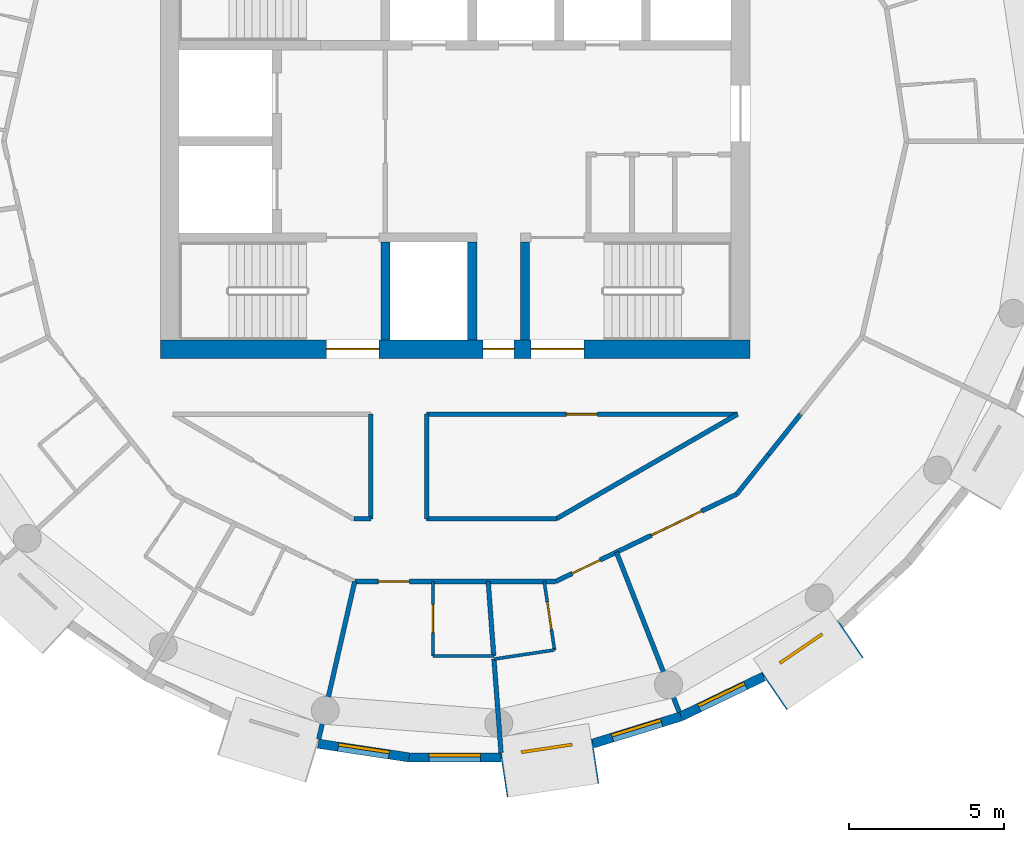
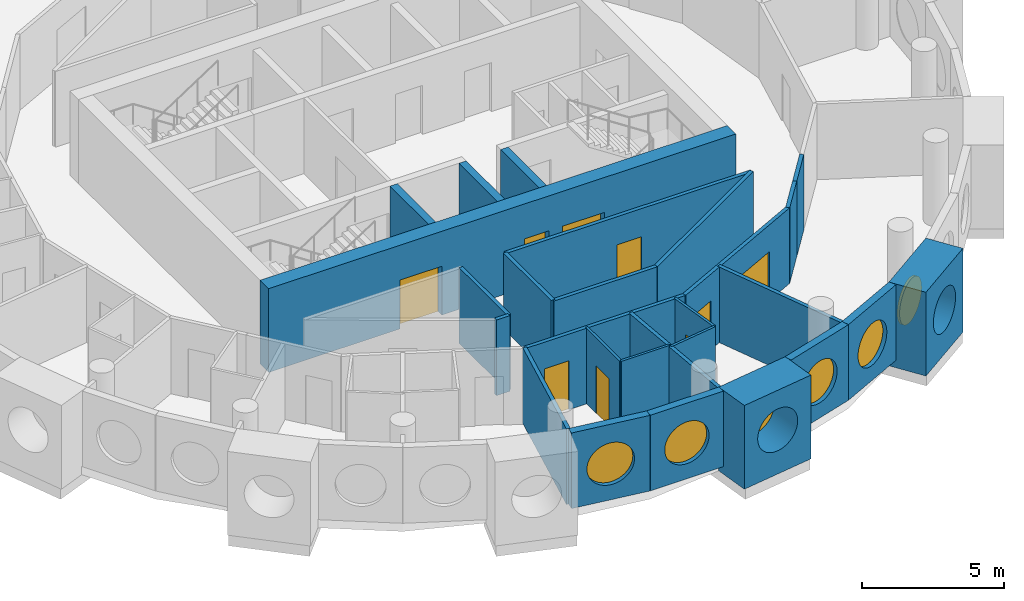
# One storey, part 4 of 12: 28 walls, 9 doors, 6 windows, 15 openings.
"""IFC4 building model written with IfcOpenShell, lengths in metres."""

from ifc_helpers import new_model, si_unit, direction, frame, frame_2d, origin, origin_2d, place, context, subcontext, project, spatial, rectangle, circle, extrude, material, layer, layer_set, type_object, element, fill, save


model = new_model("IFC4")

# Units and contexts
model_context = context("Model", 3, precision=1e-05, world=origin(), true_north=direction((0.0, 1.0)))
body_context = subcontext(model_context, "Body", "Model", "MODEL_VIEW")
ifc_project = project(units=[si_unit("LENGTHUNIT", "METRE"), si_unit("AREAUNIT", "SQUARE_METRE"), si_unit("VOLUMEUNIT", "CUBIC_METRE"), si_unit("PLANEANGLEUNIT", "RADIAN"), si_unit("MASSUNIT", "GRAM", prefix="KILO")], contexts=[model_context])

# Site, building, storey
site_placement = place(None, origin())
site = spatial("IfcSite", under=ifc_project, at=site_placement, CompositionType="ELEMENT")
building_placement = place(site_placement, origin())
building = spatial("IfcBuilding", under=site, at=building_placement, Name="Tracery Tower", CompositionType="ELEMENT")
storey_placement = place(building_placement, frame((0.0, 0.0, 291.0)))
storey = spatial("IfcBuildingStorey", under=building, at=storey_placement, Name="L75", CompositionType="ELEMENT", Elevation=291.0)

# Wall, openings, doors
ifc_material_1 = material(Name="Concrete C40/50", Category="concrete")
ifc_layer_1 = layer(ifc_material_1, 0.60009765625)
ifc_layer_set_1 = layer_set([ifc_layer_1], Name="Core wall 600 C40")
wall_type_1 = type_object("IfcWallType", Name="Core wall 600 C40", PredefinedType="SOLIDWALL", material=ifc_layer_set_1)
wall_1_placement = place(storey_placement, frame((-9.5, -6.699951171875, 0.0), z_axis=(0.0, 0.0, 1.0), x_axis=(1.0, 0.0, 0.0)))
wall_1 = element("IfcWall", 1, at=wall_1_placement, inside=storey, type_object=wall_type_1, Name="L75 outer S", PredefinedType="SOLIDWALL", context=body_context, shape_type="SweptSolid", body=[
    extrude(rectangle(XDim=19.0, YDim=0.60009765625, at=frame_2d((9.5, 0.0))), origin(), (0.0, 0.0, 1.0), 3.60009765625),
])
opening_1_placement = place(wall_1_placement, frame((10.39990234375, 0.0, 0.0)))
opening_1 = element("IfcOpeningElement", 2, at=opening_1_placement, cuts=wall_1, Name="Opening KD16", PredefinedType="OPENING", context=body_context, shape_type="SweptSolid", body=[
    extrude(rectangle(XDim=1.0, YDim=2.10009765625, at=frame_2d((0.5, 1.050048828125))), frame((0.0, 0.300048828125, 0.0), z_axis=(0.0, -1.0, 0.0), x_axis=(1.0, 0.0, 0.0)), (0.0, 0.0, 1.0), 0.60009765625),
])
opening_2_placement = place(wall_1_placement, frame((5.35009765625, 0.0, 0.0)))
opening_2 = element("IfcOpeningElement", 3, at=opening_2_placement, cuts=wall_1, Name="Opening KD3", PredefinedType="OPENING", context=body_context, shape_type="SweptSolid", body=[
    extrude(rectangle(XDim=1.699951171875, YDim=2.10009765625, at=frame_2d((0.85009765625, 1.050048828125))), frame((0.0, 0.300048828125, 0.0), z_axis=(0.0, -1.0, 0.0), x_axis=(1.0, 0.0, 0.0)), (0.0, 0.0, 1.0), 0.60009765625),
])
opening_3_placement = place(wall_1_placement, frame((11.949951171875, 0.0, 0.0)))
opening_3 = element("IfcOpeningElement", 4, at=opening_3_placement, cuts=wall_1, Name="Opening KD3", PredefinedType="OPENING", context=body_context, shape_type="SweptSolid", body=[
    extrude(rectangle(XDim=1.699951171875, YDim=2.10009765625, at=frame_2d((0.85009765625, 1.050048828125))), frame((0.0, 0.300048828125, 0.0), z_axis=(0.0, -1.0, 0.0), x_axis=(1.0, 0.0, 0.0)), (0.0, 0.0, 1.0), 0.60009765625),
])
ifc_material_2 = material(Name="Steel fire door", Category="steel")
door_type_1 = type_object("IfcDoorType", Name="Core exit door 1000", OperationType="NOTDEFINED", PredefinedType="DOOR", material=ifc_material_2)
door_1_placement = place(opening_1_placement, origin())
door_1 = element("IfcDoor", 5, at=door_1_placement, inside=storey, type_object=door_type_1, Name="Core exit door", OperationType="SINGLE_SWING_LEFT", OverallHeight=2.10009765625, OverallWidth=1.0, PredefinedType="DOOR", context=body_context, shape_type="SweptSolid", body=[
    extrude(rectangle(XDim=1.0, YDim=2.10009765625, at=frame_2d((0.5, 1.050048828125))), frame((0.0, 0.02490234375, 0.0), z_axis=(0.0, -1.0, 0.0), x_axis=(1.0, 0.0, 0.0)), (0.0, 0.0, 1.0), 0.050048828125),
])
fill(opening_1, door_1)
ifc_material_3 = material(Name="Steel fire door", Category="steel")
door_type_2 = type_object("IfcDoorType", Name="Core stair door 1700 double", OperationType="NOTDEFINED", PredefinedType="DOOR", material=ifc_material_3)
door_2_placement = place(opening_2_placement, origin())
door_2 = element("IfcDoor", 6, at=door_2_placement, inside=storey, type_object=door_type_2, Name="Stair door ST1 exit", OperationType="DOUBLE_DOOR_SINGLE_SWING", OverallHeight=2.10009765625, OverallWidth=1.699951171875, PredefinedType="DOOR", context=body_context, shape_type="SweptSolid", body=[
    extrude(rectangle(XDim=1.699951171875, YDim=2.10009765625, at=frame_2d((0.85009765625, 1.050048828125))), frame((0.0, 0.02490234375, 0.0), z_axis=(0.0, -1.0, 0.0), x_axis=(1.0, 0.0, 0.0)), (0.0, 0.0, 1.0), 0.050048828125),
])
fill(opening_2, door_2)
door_3_placement = place(opening_3_placement, origin())
door_3 = element("IfcDoor", 7, at=door_3_placement, inside=storey, type_object=door_type_2, Name="Stair door ST2 exit", OperationType="DOUBLE_DOOR_SINGLE_SWING", OverallHeight=2.10009765625, OverallWidth=1.699951171875, PredefinedType="DOOR", context=body_context, shape_type="SweptSolid", body=[
    extrude(rectangle(XDim=1.699951171875, YDim=2.10009765625, at=frame_2d((0.85009765625, 1.050048828125))), frame((0.0, 0.02490234375, 0.0), z_axis=(0.0, -1.0, 0.0), x_axis=(1.0, 0.0, 0.0)), (0.0, 0.0, 1.0), 0.050048828125),
])
fill(opening_3, door_3)

# Wall, opening, window
ifc_material_4 = material(Name="Precast concrete C50/60", Category="concrete")
ifc_layer_2 = layer(ifc_material_4, 1.449951171875)
ifc_layer_set_2 = layer_set([ifc_layer_2], Name="Deep-set bay unit 3000 x 3600, slab edge 350")
wall_type_2 = type_object("IfcWallType", Name="Deep-set bay unit 3000 x 3600, slab edge 350", PredefinedType="ELEMENTEDWALL", material=ifc_layer_set_2)
wall_2_placement = place(storey_placement, frame((1.563232421875, -20.436279296875, -0.35009765625), z_axis=(0.0, 0.0, 1.0), x_axis=(0.988836445254, 0.149004981587, 0.0)))
wall_2 = element("IfcWall", 8, at=wall_2_placement, inside=storey, type_object=wall_type_2, Name="Deep-set bay unit 33 at L75", PredefinedType="ELEMENTEDWALL", context=body_context, shape_type="SweptSolid", body=[
    extrude(rectangle(XDim=3.0, YDim=1.449951171875, at=frame_2d((1.5, 0.0))), origin(), (0.0, 0.0, 1.0), 3.60009765625),
])
opening_4_placement = place(wall_2_placement, frame((1.5, 0.0, 1.89990234375)))
opening_4 = element("IfcOpeningElement", 9, at=opening_4_placement, cuts=wall_2, Name="Opening WN1", PredefinedType="OPENING", context=body_context, shape_type="SweptSolid", body=[
    extrude(circle(Radius=0.9000244140625, at=origin_2d()), frame((0.0, 0.73486328125, 0.0), z_axis=(0.0, -1.0, 0.0), x_axis=(1.0, 0.0, 0.0)), (0.0, 0.0, 1.0), 1.469970703125),
])
ifc_material_5 = material(Name="Aluminium frame with tinted double glazing", Category="aluminium")
window_type = type_object("IfcWindowType", Name="Round window 1800", PartitioningType="SINGLE_PANEL", PredefinedType="WINDOW", material=ifc_material_5)
window_1_placement = place(opening_4_placement, origin())
window_1 = element("IfcWindow", 10, at=window_1_placement, inside=storey, type_object=window_type, Name="Round window 33 at L75", OverallHeight=1.800048828125, OverallWidth=1.800048828125, PartitioningType="SINGLE_PANEL", PredefinedType="WINDOW", context=body_context, shape_type="SweptSolid", body=[
    extrude(circle(Radius=0.9000244140625, at=origin_2d()), frame((0.0, 0.69482421875, 0.0), z_axis=(0.0, -1.0, 0.0), x_axis=(1.0, 0.0, 0.0)), (0.0, 0.0, 1.0), 0.10009765625),
])
fill(opening_4, window_1)

wall_3_placement = place(storey_placement, frame((10.275390625, -17.734130859375, -0.35009765625), z_axis=(0.0, 0.0, 1.0), x_axis=(0.826246281157, 0.563309047392, 0.0)))
wall_3 = element("IfcWall", 11, at=wall_3_placement, inside=storey, type_object=wall_type_2, Name="Deep-set bay unit 36 at L75", PredefinedType="ELEMENTEDWALL", context=body_context, shape_type="SweptSolid", body=[
    extrude(rectangle(XDim=3.0, YDim=1.449951171875, at=frame_2d((1.5, 0.0))), origin(), (0.0, 0.0, 1.0), 3.60009765625),
])
opening_5_placement = place(wall_3_placement, frame((1.5, 0.0, 1.89990234375)))
opening_5 = element("IfcOpeningElement", 12, at=opening_5_placement, cuts=wall_3, Name="Opening WN1", PredefinedType="OPENING", context=body_context, shape_type="SweptSolid", body=[
    extrude(circle(Radius=0.9000244140625, at=origin_2d()), frame((0.0, 0.73486328125, 0.0), z_axis=(0.0, -1.0, 0.0), x_axis=(1.0, 0.0, 0.0)), (0.0, 0.0, 1.0), 1.469970703125),
])
window_2_placement = place(opening_5_placement, origin())
window_2 = element("IfcWindow", 13, at=window_2_placement, inside=storey, type_object=window_type, Name="Round window 36 at L75", OverallHeight=1.800048828125, OverallWidth=1.800048828125, PartitioningType="SINGLE_PANEL", PredefinedType="WINDOW", context=body_context, shape_type="SweptSolid", body=[
    extrude(circle(Radius=0.9000244140625, at=origin_2d()), frame((0.0, 0.69482421875, 0.0), z_axis=(0.0, -1.0, 0.0), x_axis=(1.0, 0.0, 0.0)), (0.0, 0.0, 1.0), 0.10009765625),
])
fill(opening_5, window_2)

ifc_material_6 = material(Name="Precast concrete C50/60", Category="concrete")
ifc_layer_3 = layer(ifc_material_6, 0.300048828125)
ifc_layer_set_3 = layer_set([ifc_layer_3], Name="Facade panel 3000 x 3250")
wall_type_3 = type_object("IfcWallType", Name="Facade panel 3000 x 3250", PredefinedType="SOLIDWALL", material=ifc_layer_set_3)
wall_4_placement = place(storey_placement, frame((-4.41796875, -19.424560546875, 0.0), z_axis=(0.0, 0.0, 1.0), x_axis=(0.988835775663, -0.149009425104, 0.0)))
wall_4 = element("IfcWall", 14, at=wall_4_placement, inside=storey, type_object=wall_type_3, Name="Facade panel 31 at L75", PredefinedType="SOLIDWALL", context=body_context, shape_type="SweptSolid", body=[
    extrude(rectangle(XDim=2.962158203125, YDim=0.300048828125, at=frame_2d((1.48095703125, 0.0))), origin(), (0.0, 0.0, 1.0), 3.25),
])
opening_6_placement = place(wall_4_placement, frame((1.48095703125, 0.0, 1.5498046875)))
opening_6 = element("IfcOpeningElement", 15, at=opening_6_placement, cuts=wall_4, Name="Opening WN1", PredefinedType="OPENING", context=body_context, shape_type="SweptSolid", body=[
    extrude(circle(Radius=0.9000244140625, at=origin_2d()), frame((0.0, 0.159912109375, 0.0), z_axis=(0.0, -1.0, 0.0), x_axis=(1.0, 0.0, 0.0)), (0.0, 0.0, 1.0), 0.320068359375),
])
window_3_placement = place(opening_6_placement, origin())
window_3 = element("IfcWindow", 16, at=window_3_placement, inside=storey, type_object=window_type, Name="Round window 31 at L75", OverallHeight=1.800048828125, OverallWidth=1.800048828125, PartitioningType="SINGLE_PANEL", PredefinedType="WINDOW", context=body_context, shape_type="SweptSolid", body=[
    extrude(circle(Radius=0.9000244140625, at=origin_2d()), frame((0.0, 0.1201171875, 0.0), z_axis=(0.0, -1.0, 0.0), x_axis=(1.0, 0.0, 0.0)), (0.0, 0.0, 1.0), 0.10009765625),
])
fill(opening_6, window_3)

wall_5_placement = place(storey_placement, frame((-1.48876953125, -19.865966796875, 0.0), z_axis=(0.0, 0.0, 1.0), x_axis=(1.0, 0.0, 0.0)))
wall_5 = element("IfcWall", 17, at=wall_5_placement, inside=storey, type_object=wall_type_3, Name="Facade panel 32 at L75", PredefinedType="SOLIDWALL", context=body_context, shape_type="SweptSolid", body=[
    extrude(rectangle(XDim=2.962158203125, YDim=0.300048828125, at=frame_2d((1.48095703125, 0.0))), origin(), (0.0, 0.0, 1.0), 3.25),
])
opening_7_placement = place(wall_5_placement, frame((1.48095703125, 0.0, 1.5498046875)))
opening_7 = element("IfcOpeningElement", 18, at=opening_7_placement, cuts=wall_5, Name="Opening WN1", PredefinedType="OPENING", context=body_context, shape_type="SweptSolid", body=[
    extrude(circle(Radius=0.9000244140625, at=origin_2d()), frame((0.0, 0.159912109375, 0.0), z_axis=(0.0, -1.0, 0.0), x_axis=(1.0, 0.0, 0.0)), (0.0, 0.0, 1.0), 0.320068359375),
])
window_4_placement = place(opening_7_placement, origin())
window_4 = element("IfcWindow", 19, at=window_4_placement, inside=storey, type_object=window_type, Name="Round window 32 at L75", OverallHeight=1.800048828125, OverallWidth=1.800048828125, PartitioningType="SINGLE_PANEL", PredefinedType="WINDOW", context=body_context, shape_type="SweptSolid", body=[
    extrude(circle(Radius=0.9000244140625, at=origin_2d()), frame((0.0, 0.1201171875, 0.0), z_axis=(0.0, -1.0, 0.0), x_axis=(1.0, 0.0, 0.0)), (0.0, 0.0, 1.0), 0.10009765625),
])
fill(opening_7, window_4)

wall_6_placement = place(storey_placement, frame((4.447509765625, -19.417724609375, 0.0), z_axis=(0.0, 0.0, 1.0), x_axis=(0.95558635705, 0.294711238707, 0.0)))
wall_6 = element("IfcWall", 20, at=wall_6_placement, inside=storey, type_object=wall_type_3, Name="Facade panel 34 at L75", PredefinedType="SOLIDWALL", context=body_context, shape_type="SweptSolid", body=[
    extrude(rectangle(XDim=2.96240234375, YDim=0.300048828125, at=frame_2d((1.481201171875, 0.0))), origin(), (0.0, 0.0, 1.0), 3.25),
])
opening_8_placement = place(wall_6_placement, frame((1.48095703125, 0.0, 1.5498046875)))
opening_8 = element("IfcOpeningElement", 21, at=opening_8_placement, cuts=wall_6, Name="Opening WN1", PredefinedType="OPENING", context=body_context, shape_type="SweptSolid", body=[
    extrude(circle(Radius=0.9000244140625, at=origin_2d()), frame((0.0, 0.159912109375, 0.0), z_axis=(0.0, -1.0, 0.0), x_axis=(1.0, 0.0, 0.0)), (0.0, 0.0, 1.0), 0.320068359375),
])
window_5_placement = place(opening_8_placement, origin())
window_5 = element("IfcWindow", 22, at=window_5_placement, inside=storey, type_object=window_type, Name="Round window 34 at L75", OverallHeight=1.800048828125, OverallWidth=1.800048828125, PartitioningType="SINGLE_PANEL", PredefinedType="WINDOW", context=body_context, shape_type="SweptSolid", body=[
    extrude(circle(Radius=0.9000244140625, at=origin_2d()), frame((0.0, 0.1201171875, 0.0), z_axis=(0.0, -1.0, 0.0), x_axis=(1.0, 0.0, 0.0)), (0.0, 0.0, 1.0), 0.10009765625),
])
fill(opening_8, window_5)

wall_7_placement = place(storey_placement, frame((7.2783203125, -18.544677734375, 0.0), z_axis=(0.0, 0.0, 1.0), x_axis=(0.900939615635, 0.433944476838, 0.0)))
wall_7 = element("IfcWall", 23, at=wall_7_placement, inside=storey, type_object=wall_type_3, Name="Facade panel 35 at L75", PredefinedType="SOLIDWALL", context=body_context, shape_type="SweptSolid", body=[
    extrude(rectangle(XDim=2.962158203125, YDim=0.300048828125, at=frame_2d((1.48095703125, 0.0))), origin(), (0.0, 0.0, 1.0), 3.25),
])
opening_9_placement = place(wall_7_placement, frame((1.48095703125, 0.0, 1.5498046875)))
opening_9 = element("IfcOpeningElement", 24, at=opening_9_placement, cuts=wall_7, Name="Opening WN1", PredefinedType="OPENING", context=body_context, shape_type="SweptSolid", body=[
    extrude(circle(Radius=0.9000244140625, at=origin_2d()), frame((0.0, 0.159912109375, 0.0), z_axis=(0.0, -1.0, 0.0), x_axis=(1.0, 0.0, 0.0)), (0.0, 0.0, 1.0), 0.320068359375),
])
window_6_placement = place(opening_9_placement, origin())
window_6 = element("IfcWindow", 25, at=window_6_placement, inside=storey, type_object=window_type, Name="Round window 35 at L75", OverallHeight=1.800048828125, OverallWidth=1.800048828125, PartitioningType="SINGLE_PANEL", PredefinedType="WINDOW", context=body_context, shape_type="SweptSolid", body=[
    extrude(circle(Radius=0.9000244140625, at=origin_2d()), frame((0.0, 0.1201171875, 0.0), z_axis=(0.0, -1.0, 0.0), x_axis=(1.0, 0.0, 0.0)), (0.0, 0.0, 1.0), 0.10009765625),
])
fill(opening_9, window_6)

# Wall, opening, door
ifc_material_7 = material(Name="Plasterboard on steel studs", Category="steel")
ifc_layer_4 = layer(ifc_material_7, 0.10009765625)
ifc_layer_set_4 = layer_set([ifc_layer_4], Name="Partition 100 wet wall")
wall_type_4 = type_object("IfcWallType", Name="Partition 100 wet wall", PredefinedType="PARTITIONING", material=ifc_layer_set_4)
wall_8_placement = place(storey_placement, frame((-0.721923828125, -16.592041015625, 0.0), z_axis=(0.0, 0.0, 1.0), x_axis=(0.0, 1.0, 0.0)))
wall_8 = element("IfcWall", 26, at=wall_8_placement, inside=storey, type_object=wall_type_4, Name="Wet wall RC6-080", PredefinedType="PARTITIONING", context=body_context, shape_type="SweptSolid", body=[
    extrude(rectangle(XDim=2.400146484375, YDim=0.10009765625, at=frame_2d((1.2001953125, 0.0))), origin(), (0.0, 0.0, 1.0), 3.25),
])
opening_10_placement = place(wall_8_placement, frame((0.75, 0.0, 0.0)))
opening_10 = element("IfcOpeningElement", 27, at=opening_10_placement, cuts=wall_8, Name="Opening RC6-26", PredefinedType="OPENING", context=body_context, shape_type="SweptSolid", body=[
    extrude(rectangle(XDim=0.89990234375, YDim=2.0400390625, at=frame_2d((0.449951171875, 1.02001953125))), frame((0.0, 0.050048828125, 0.0), z_axis=(0.0, -1.0, 0.0), x_axis=(1.0, 0.0, 0.0)), (0.0, 0.0, 1.0), 0.10009765625),
])
ifc_material_8 = material(Name="Timber door leaf", Category="wood")
door_type_3 = type_object("IfcDoorType", Name="Door en-suite 900", OperationType="NOTDEFINED", PredefinedType="DOOR", material=ifc_material_8)
door_4_placement = place(opening_10_placement, origin())
door_4 = element("IfcDoor", 28, at=door_4_placement, inside=storey, type_object=door_type_3, Name="En-suite door RC6-26", OperationType="SINGLE_SWING_RIGHT", OverallHeight=2.0400390625, OverallWidth=0.89990234375, PredefinedType="DOOR", context=body_context, shape_type="SweptSolid", body=[
    extrude(rectangle(XDim=0.89990234375, YDim=2.0400390625, at=frame_2d((0.449951171875, 1.02001953125))), frame((0.0, 0.02490234375, 0.0), z_axis=(0.0, -1.0, 0.0), x_axis=(1.0, 0.0, 0.0)), (0.0, 0.0, 1.0), 0.050048828125),
])
fill(opening_10, door_4)

# Walls
wall_9_placement = place(storey_placement, frame((-0.721923828125, -16.592041015625, 0.0), z_axis=(0.0, 0.0, 1.0), x_axis=(1.0, 0.0, 0.0)))
element("IfcWall", 29, at=wall_9_placement, inside=storey, type_object=wall_type_4, Name="Wet wall RC6-081", PredefinedType="PARTITIONING", context=body_context, shape_type="SweptSolid", body=[
    extrude(rectangle(XDim=1.96484375, YDim=0.10009765625, at=frame_2d((0.982421875, 0.0))), origin(), (0.0, 0.0, 1.0), 3.25),
])
wall_10_placement = place(storey_placement, frame((1.2509765625, -16.695068359375, 0.0), z_axis=(0.0, 0.0, 1.0), x_axis=(0.988831780565, 0.149035934407, 0.0)))
element("IfcWall", 30, at=wall_10_placement, inside=storey, type_object=wall_type_4, Name="Wet wall RC6-084", PredefinedType="PARTITIONING", context=body_context, shape_type="SweptSolid", body=[
    extrude(rectangle(XDim=1.973876953125, YDim=0.10009765625, at=frame_2d((0.98681640625, 0.0))), origin(), (0.0, 0.0, 1.0), 3.25),
])

# Wall, opening, door
wall_11_placement = place(storey_placement, frame((2.8701171875, -14.19189453125, 0.0), z_axis=(0.0, 0.0, 1.0), x_axis=(0.148960349288, -0.988843169739, 0.0)))
wall_11 = element("IfcWall", 31, at=wall_11_placement, inside=storey, type_object=wall_type_4, Name="Wet wall RC6-085", PredefinedType="PARTITIONING", context=body_context, shape_type="SweptSolid", body=[
    extrude(rectangle(XDim=2.23388671875, YDim=0.10009765625, at=frame_2d((1.116943359375, 0.0))), origin(), (0.0, 0.0, 1.0), 3.25),
])
opening_11_placement = place(wall_11_placement, frame((0.6669921875, 0.0, 0.0)))
opening_11 = element("IfcOpeningElement", 32, at=opening_11_placement, cuts=wall_11, Name="Opening RC6-28", PredefinedType="OPENING", context=body_context, shape_type="SweptSolid", body=[
    extrude(rectangle(XDim=0.89990234375, YDim=2.0400390625, at=frame_2d((0.449951171875, 1.02001953125))), frame((0.0, 0.050048828125, 0.0), z_axis=(0.0, -1.0, 0.0), x_axis=(1.0, 0.0, 0.0)), (0.0, 0.0, 1.0), 0.10009765625),
])
door_5_placement = place(opening_11_placement, origin())
door_5 = element("IfcDoor", 33, at=door_5_placement, inside=storey, type_object=door_type_3, Name="En-suite door RC6-28", OperationType="SINGLE_SWING_RIGHT", OverallHeight=2.0400390625, OverallWidth=0.89990234375, PredefinedType="DOOR", context=body_context, shape_type="SweptSolid", body=[
    extrude(rectangle(XDim=0.89990234375, YDim=2.0400390625, at=frame_2d((0.449951171875, 1.02001953125))), frame((0.0, 0.02490234375, 0.0), z_axis=(0.0, -1.0, 0.0), x_axis=(1.0, 0.0, 0.0)), (0.0, 0.0, 1.0), 0.050048828125),
])
fill(opening_11, door_5)

# Walls
ifc_material_9 = material(Name="Plasterboard on steel studs", Category="steel")
ifc_layer_5 = layer(ifc_material_9, 0.14990234375)
ifc_layer_set_5 = layer_set([ifc_layer_5], Name="Partition 150 acoustic unit wall")
wall_type_5 = type_object("IfcWallType", Name="Partition 150 acoustic unit wall", PredefinedType="PARTITIONING", material=ifc_layer_set_5)
wall_12_placement = place(storey_placement, frame((-4.39990234375, -19.27587890625, 0.0), z_axis=(0.0, 0.0, 1.0), x_axis=(0.222612505682, 0.974907007008, 0.0)))
element("IfcWall", 34, at=wall_12_placement, inside=storey, type_object=wall_type_5, Name="Unit wall RC6-079", PredefinedType="PARTITIONING", context=body_context, shape_type="SweptSolid", body=[
    extrude(rectangle(XDim=5.21484375, YDim=0.14990234375, at=frame_2d((2.607421875, 0.0))), origin(), (0.0, 0.0, 1.0), 3.25),
])
wall_13_placement = place(storey_placement, frame((1.25, -16.69091796875, 0.0), z_axis=(0.0, 0.0, 1.0), x_axis=(0.075164061246, -0.99717118084, 0.0)))
element("IfcWall", 35, at=wall_13_placement, inside=storey, type_object=wall_type_5, Name="Unit wall RC6-082", PredefinedType="PARTITIONING", context=body_context, shape_type="SweptSolid", body=[
    extrude(rectangle(XDim=3.03369140625, YDim=0.14990234375, at=frame_2d((1.516845703125, 0.0))), origin(), (0.0, 0.0, 1.0), 3.25),
])
wall_14_placement = place(storey_placement, frame((1.06396484375, -14.19189453125, 0.0), z_axis=(0.0, 0.0, 1.0), x_axis=(0.074353677934, -0.997231934195, 0.0)))
element("IfcWall", 36, at=wall_14_placement, inside=storey, type_object=wall_type_5, Name="Unit wall RC6-083", PredefinedType="PARTITIONING", context=body_context, shape_type="SweptSolid", body=[
    extrude(rectangle(XDim=2.40673828125, YDim=0.14990234375, at=frame_2d((1.203369140625, 0.0))), origin(), (0.0, 0.0, 1.0), 3.25),
])
wall_15_placement = place(storey_placement, frame((5.198974609375, -13.248046875, 0.0), z_axis=(0.0, 0.0, 1.0), x_axis=(0.365334662456, -0.930876245485, 0.0)))
element("IfcWall", 37, at=wall_15_placement, inside=storey, type_object=wall_type_5, Name="Unit wall RC6-086", PredefinedType="PARTITIONING", context=body_context, shape_type="SweptSolid", body=[
    extrude(rectangle(XDim=5.5400390625, YDim=0.14990234375, at=frame_2d((2.77001953125, 0.0))), origin(), (0.0, 0.0, 1.0), 3.25),
])

# Wall, opening, door
ifc_material_10 = material(Name="Plasterboard on steel studs", Category="steel")
ifc_layer_6 = layer(ifc_material_10, 0.14990234375)
ifc_layer_set_6 = layer_set([ifc_layer_6], Name="Partition 150 corridor wall")
wall_type_6 = type_object("IfcWallType", Name="Partition 150 corridor wall", PredefinedType="PARTITIONING", material=ifc_layer_set_6)
wall_16_placement = place(storey_placement, frame((-0.924072265625, -8.800048828125, 0.0), z_axis=(0.0, 0.0, 1.0), x_axis=(1.0, 0.0, 0.0)))
wall_16 = element("IfcWall", 38, at=wall_16_placement, inside=storey, type_object=wall_type_6, Name="Corridor wall RC6-014", PredefinedType="PARTITIONING", context=body_context, shape_type="SweptSolid", body=[
    extrude(rectangle(XDim=10.024658203125, YDim=0.14990234375, at=frame_2d((5.01220703125, 0.0))), origin(), (0.0, 0.0, 1.0), 3.25),
])
opening_12_placement = place(wall_16_placement, frame((4.508056640625, 0.0, 0.0)))
opening_12 = element("IfcOpeningElement", 39, at=opening_12_placement, cuts=wall_16, Name="Opening RC6-04", PredefinedType="OPENING", context=body_context, shape_type="SweptSolid", body=[
    extrude(rectangle(XDim=1.0, YDim=2.0400390625, at=frame_2d((0.5, 1.02001953125))), frame((0.0, 0.074951171875, 0.0), z_axis=(0.0, -1.0, 0.0), x_axis=(1.0, 0.0, 0.0)), (0.0, 0.0, 1.0), 0.14990234375),
])
ifc_material_11 = material(Name="Timber door leaf", Category="wood")
door_type_4 = type_object("IfcDoorType", Name="Door communal room 1000", OperationType="NOTDEFINED", PredefinedType="DOOR", material=ifc_material_11)
door_6_placement = place(opening_12_placement, origin())
door_6 = element("IfcDoor", 40, at=door_6_placement, inside=storey, type_object=door_type_4, Name="Communal room door RC6-04", OperationType="SINGLE_SWING_RIGHT", OverallHeight=2.0400390625, OverallWidth=1.0, PredefinedType="DOOR", context=body_context, shape_type="SweptSolid", body=[
    extrude(rectangle(XDim=1.0, YDim=2.0400390625, at=frame_2d((0.5, 1.02001953125))), frame((0.0, 0.02490234375, 0.0), z_axis=(0.0, -1.0, 0.0), x_axis=(1.0, 0.0, 0.0)), (0.0, 0.0, 1.0), 0.050048828125),
])
fill(opening_12, door_6)

# Walls
wall_17_placement = place(storey_placement, frame((10.10107421875, -10.10107421875, 0.0), z_axis=(0.0, 0.0, 1.0), x_axis=(0.623098344652, 0.782143498913, 0.0)))
element("IfcWall", 41, at=wall_17_placement, inside=storey, type_object=wall_type_6, Name="Corridor wall RC6-020", PredefinedType="PARTITIONING", context=body_context, shape_type="SweptSolid", body=[
    extrude(rectangle(XDim=1.660888671875, YDim=0.14990234375, at=frame_2d((0.83056640625, 0.0))), origin(), (0.0, 0.0, 1.0), 3.25),
])
wall_18_placement = place(storey_placement, frame((-3.260986328125, -12.1708984375, 0.0), z_axis=(0.0, 0.0, 1.0), x_axis=(1.0, 0.0, 0.0)))
element("IfcWall", 42, at=wall_18_placement, inside=storey, type_object=wall_type_6, Name="Corridor wall RC6-037", PredefinedType="PARTITIONING", context=body_context, shape_type="SweptSolid", body=[
    extrude(rectangle(XDim=0.541015625, YDim=0.14990234375, at=frame_2d((0.2705078125, 0.0))), origin(), (0.0, 0.0, 1.0), 3.25),
])
for number, where, z_axis, x_axis, name in (
    (43, (-2.719970703125, -12.1708984375, 0.0), (0.0, 0.0, 1.0), (0.0, 1.0, 0.0), "Corridor wall RC6-038"),
    (44, (-0.919921875, -12.1708984375, 0.0), (0.0, 0.0, 1.0), (0.0, 1.0, 0.0), "Corridor wall RC6-039"),
):
    element("IfcWall", number, at=place(storey_placement, frame(where, z_axis=z_axis, x_axis=x_axis)), inside=storey, type_object=wall_type_6, Name=name, PredefinedType="PARTITIONING", context=body_context, shape_type="SweptSolid", body=[
        extrude(rectangle(XDim=3.370849609375, YDim=0.14990234375, at=frame_2d((1.685546875, 0.0))), origin(), (0.0, 0.0, 1.0), 3.25),
    ])
wall_19_placement = place(storey_placement, frame((-0.919921875, -12.1708984375, 0.0), z_axis=(0.0, 0.0, 1.0), x_axis=(1.0, 0.0, 0.0)))
element("IfcWall", 45, at=wall_19_placement, inside=storey, type_object=wall_type_6, Name="Corridor wall RC6-040", PredefinedType="PARTITIONING", context=body_context, shape_type="SweptSolid", body=[
    extrude(rectangle(XDim=4.180908203125, YDim=0.14990234375, at=frame_2d((2.09033203125, 0.0))), origin(), (0.0, 0.0, 1.0), 3.25),
])
wall_20_placement = place(storey_placement, frame((3.260986328125, -12.1708984375, 0.0), z_axis=(0.0, 0.0, 1.0), x_axis=(0.866066809554, 0.499928276245, 0.0)))
element("IfcWall", 46, at=wall_20_placement, inside=storey, type_object=wall_type_6, Name="Corridor wall RC6-041", PredefinedType="PARTITIONING", context=body_context, shape_type="SweptSolid", body=[
    extrude(rectangle(XDim=6.74267578125, YDim=0.14990234375, at=frame_2d((3.371337890625, 0.0))), origin(), (0.0, 0.0, 1.0), 3.25),
])

# Wall, opening, door
wall_21_placement = place(storey_placement, frame((-3.239013671875, -14.19189453125, 0.0), z_axis=(0.0, 0.0, 1.0), x_axis=(1.0, 0.0, 0.0)))
wall_21 = element("IfcWall", 47, at=wall_21_placement, inside=storey, type_object=wall_type_6, Name="Corridor wall RC6-043", PredefinedType="PARTITIONING", context=body_context, shape_type="SweptSolid", body=[
    extrude(rectangle(XDim=6.47802734375, YDim=0.14990234375, at=frame_2d((3.239013671875, 0.0))), origin(), (0.0, 0.0, 1.0), 3.25),
])
opening_13_placement = place(wall_21_placement, frame((0.760986328125, 0.0, 0.0)))
opening_13 = element("IfcOpeningElement", 48, at=opening_13_placement, cuts=wall_21, Name="Opening RC6-27", PredefinedType="OPENING", context=body_context, shape_type="SweptSolid", body=[
    extrude(rectangle(XDim=1.0, YDim=2.10009765625, at=frame_2d((0.5, 1.050048828125))), frame((0.0, 0.074951171875, 0.0), z_axis=(0.0, -1.0, 0.0), x_axis=(1.0, 0.0, 0.0)), (0.0, 0.0, 1.0), 0.14990234375),
])
ifc_material_12 = material(Name="Timber door leaf", Category="wood")
door_type_5 = type_object("IfcDoorType", Name="Door unit entrance 1000", OperationType="NOTDEFINED", PredefinedType="DOOR", material=ifc_material_12)
door_7_placement = place(opening_13_placement, origin())
door_7 = element("IfcDoor", 49, at=door_7_placement, inside=storey, type_object=door_type_5, Name="Unit entrance door RC6-27", OperationType="SINGLE_SWING_LEFT", OverallHeight=2.10009765625, OverallWidth=1.0, PredefinedType="DOOR", context=body_context, shape_type="SweptSolid", body=[
    extrude(rectangle(XDim=1.0, YDim=2.10009765625, at=frame_2d((0.5, 1.050048828125))), frame((0.0, 0.02490234375, 0.0), z_axis=(0.0, -1.0, 0.0), x_axis=(1.0, 0.0, 0.0)), (0.0, 0.0, 1.0), 0.050048828125),
])
fill(opening_13, door_7)

# Wall, openings, doors
wall_22_placement = place(storey_placement, frame((3.239013671875, -14.19189453125, 0.0), z_axis=(0.0, 0.0, 1.0), x_axis=(0.900851590682, 0.434127183629, 0.0)))
wall_22 = element("IfcWall", 50, at=wall_22_placement, inside=storey, type_object=wall_type_6, Name="Corridor wall RC6-044", PredefinedType="PARTITIONING", context=body_context, shape_type="SweptSolid", body=[
    extrude(rectangle(XDim=6.478515625, YDim=0.14990234375, at=frame_2d((3.2392578125, 0.0))), origin(), (0.0, 0.0, 1.0), 3.25),
])
opening_14_placement = place(wall_22_placement, frame((0.589111328125, 0.0, 0.0)))
opening_14 = element("IfcOpeningElement", 51, at=opening_14_placement, cuts=wall_22, Name="Opening RC6-29", PredefinedType="OPENING", context=body_context, shape_type="SweptSolid", body=[
    extrude(rectangle(XDim=1.0, YDim=2.10009765625, at=frame_2d((0.5, 1.050048828125))), frame((0.0, 0.074951171875, 0.0), z_axis=(0.0, -1.0, 0.0), x_axis=(1.0, 0.0, 0.0)), (0.0, 0.0, 1.0), 0.14990234375),
])
opening_15_placement = place(wall_22_placement, frame((3.424560546875, 0.0, 0.0)))
opening_15 = element("IfcOpeningElement", 52, at=opening_15_placement, cuts=wall_22, Name="Opening RC6-30", PredefinedType="OPENING", context=body_context, shape_type="SweptSolid", body=[
    extrude(rectangle(XDim=1.800048828125, YDim=2.10009765625, at=frame_2d((0.89990234375, 1.050048828125))), frame((0.0, 0.074951171875, 0.0), z_axis=(0.0, -1.0, 0.0), x_axis=(1.0, 0.0, 0.0)), (0.0, 0.0, 1.0), 0.14990234375),
])
ifc_material_13 = material(Name="Timber door leaf", Category="wood")
door_type_6 = type_object("IfcDoorType", Name="Door double lounge 1800", OperationType="NOTDEFINED", PredefinedType="DOOR", material=ifc_material_13)
door_8_placement = place(opening_15_placement, origin())
door_8 = element("IfcDoor", 53, at=door_8_placement, inside=storey, type_object=door_type_6, Name="Double lounge door RC6-30", OperationType="DOUBLE_DOOR_SINGLE_SWING", OverallHeight=2.10009765625, OverallWidth=1.800048828125, PredefinedType="DOOR", context=body_context, shape_type="SweptSolid", body=[
    extrude(rectangle(XDim=1.800048828125, YDim=2.10009765625, at=frame_2d((0.89990234375, 1.050048828125))), frame((0.0, 0.02490234375, 0.0), z_axis=(0.0, -1.0, 0.0), x_axis=(1.0, 0.0, 0.0)), (0.0, 0.0, 1.0), 0.050048828125),
])
fill(opening_15, door_8)
door_9_placement = place(opening_14_placement, origin())
door_9 = element("IfcDoor", 54, at=door_9_placement, inside=storey, type_object=door_type_5, Name="Unit entrance door RC6-29", OperationType="SINGLE_SWING_RIGHT", OverallHeight=2.10009765625, OverallWidth=1.0, PredefinedType="DOOR", context=body_context, shape_type="SweptSolid", body=[
    extrude(rectangle(XDim=1.0, YDim=2.10009765625, at=frame_2d((0.5, 1.050048828125))), frame((0.0, 0.02490234375, 0.0), z_axis=(0.0, -1.0, 0.0), x_axis=(1.0, 0.0, 0.0)), (0.0, 0.0, 1.0), 0.050048828125),
])
fill(opening_14, door_9)

# Walls
wall_23_placement = place(storey_placement, frame((9.075927734375, -11.381103515625, 0.0), z_axis=(0.0, 0.0, 1.0), x_axis=(0.623805208652, 0.781579849829, 0.0)))
element("IfcWall", 55, at=wall_23_placement, inside=storey, type_object=wall_type_6, Name="Corridor wall RC6-045", PredefinedType="PARTITIONING", context=body_context, shape_type="SweptSolid", body=[
    extrude(rectangle(XDim=1.64013671875, YDim=0.14990234375, at=frame_2d((0.820068359375, 0.0))), origin(), (0.0, 0.0, 1.0), 3.25),
])
ifc_material_14 = material(Name="Concrete C40/50", Category="concrete")
ifc_layer_7 = layer(ifc_material_14, 0.300048828125)
ifc_layer_set_7 = layer_set([ifc_layer_7], Name="Shaft wall 300 C40")
wall_type_7 = type_object("IfcWallType", Name="Shaft wall 300 C40", PredefinedType="SOLIDWALL", material=ifc_layer_set_7)
wall_24_placement = place(storey_placement, frame((0.550048828125, -6.39990234375, 0.0), z_axis=(0.0, 0.0, 1.0), x_axis=(0.0, 1.0, 0.0)))
element("IfcWall", 56, at=wall_24_placement, inside=storey, type_object=wall_type_7, Name="L75 OB2 E", PredefinedType="SOLIDWALL", context=body_context, shape_type="SweptSolid", body=[
    extrude(rectangle(XDim=3.14990234375, YDim=0.300048828125, at=frame_2d((1.574951171875, 0.0))), origin(), (0.0, 0.0, 1.0), 3.25),
])
ifc_material_15 = material(Name="Concrete C40/50", Category="concrete")
ifc_layer_8 = layer(ifc_material_15, 0.300048828125)
ifc_layer_set_8 = layer_set([ifc_layer_8], Name="Stair wall 300 C40")
wall_type_8 = type_object("IfcWallType", Name="Stair wall 300 C40", PredefinedType="SOLIDWALL", material=ifc_layer_set_8)
for number, where, z_axis, x_axis, name in (
    (57, (-2.25, -6.39990234375, 0.0), (0.0, 0.0, 1.0), (0.0, 1.0, 0.0), "L75 ST1 E"),
    (58, (2.25, -6.39990234375, 0.0), (0.0, 0.0, 1.0), (0.0, 1.0, 0.0), "L75 ST2 W"),
):
    element("IfcWall", number, at=place(storey_placement, frame(where, z_axis=z_axis, x_axis=x_axis)), inside=storey, type_object=wall_type_8, Name=name, PredefinedType="SOLIDWALL", context=body_context, shape_type="SweptSolid", body=[
        extrude(rectangle(XDim=3.14990234375, YDim=0.300048828125, at=frame_2d((1.574951171875, 0.0))), origin(), (0.0, 0.0, 1.0), 3.25),
    ])

save(model, "model.ifc")
